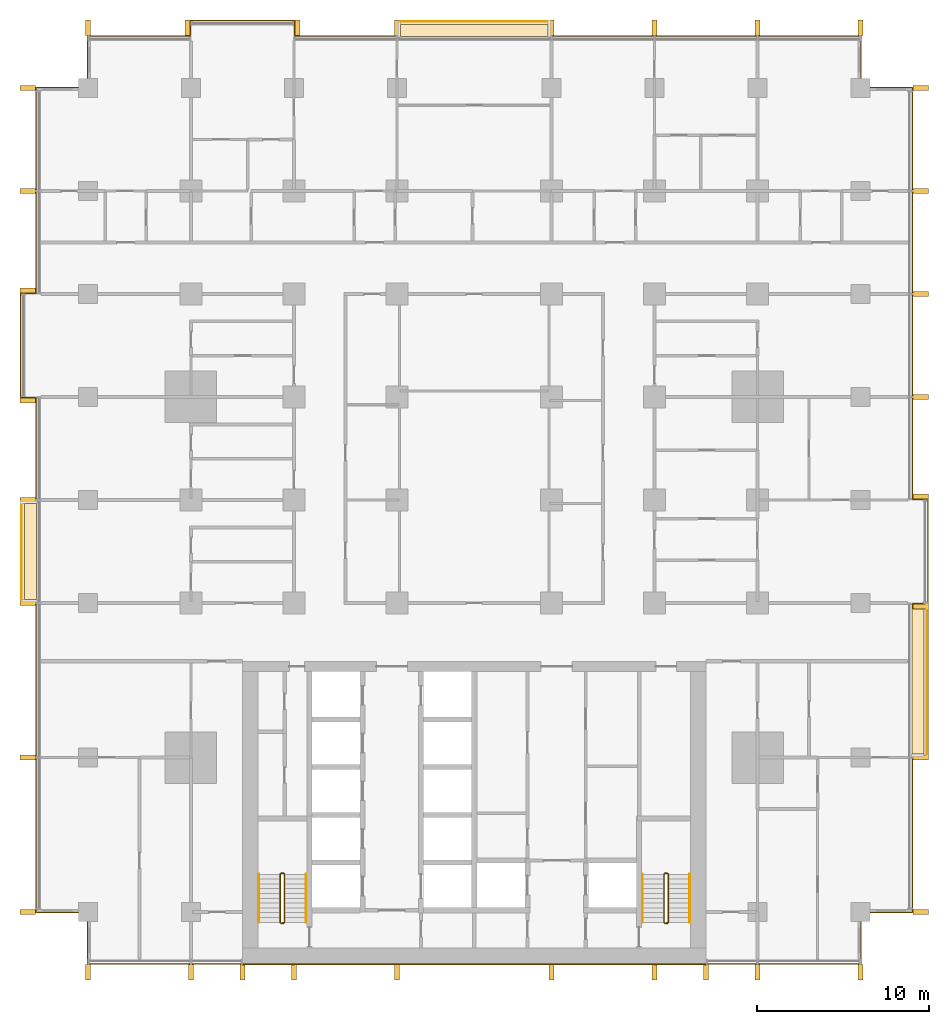
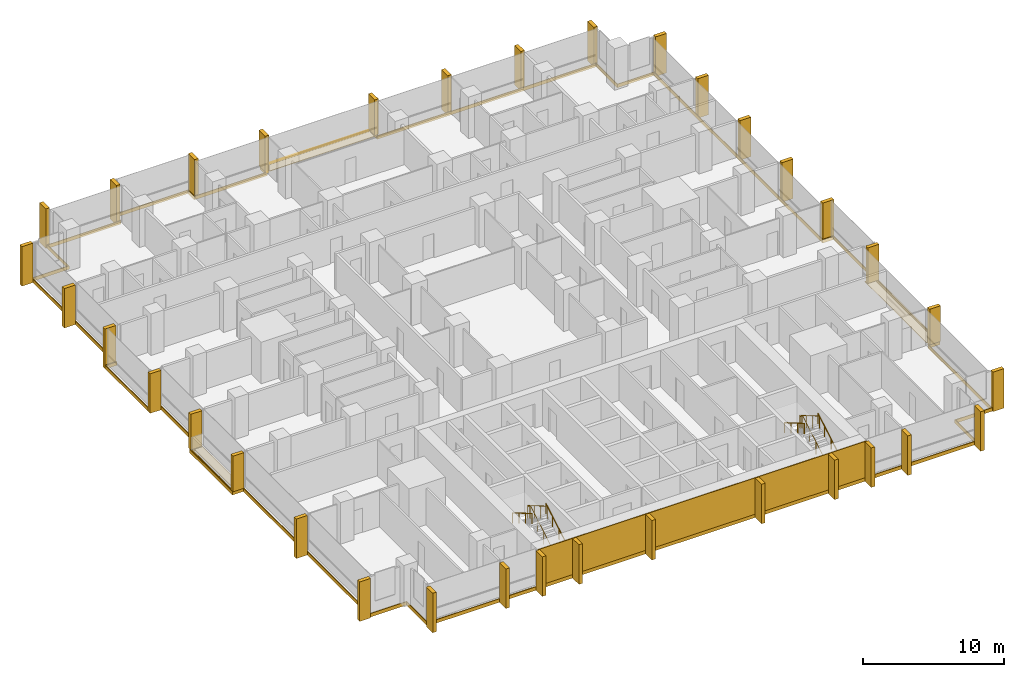
# One storey, part 18 of 18: 34 shading devices, 12 coverings, 6 railings.
"""IFC4 building model written with IfcOpenShell, lengths in metres."""

from ifc_helpers import new_model, si_unit, direction, frame, origin, origin_2d, place, context, subcontext, project, spatial, polyline, rectangle, circle, outline, extrude, material, layer, layer_set, type_object, element, save


model = new_model("IFC4")

# Units and contexts
model_context = context("Model", 3, precision=1e-05, world=origin(), true_north=direction((0.0, 1.0)))
body_context = subcontext(model_context, "Body", "Model", "MODEL_VIEW")
ifc_project = project(units=[si_unit("LENGTHUNIT", "METRE"), si_unit("AREAUNIT", "SQUARE_METRE"), si_unit("VOLUMEUNIT", "CUBIC_METRE"), si_unit("PLANEANGLEUNIT", "RADIAN"), si_unit("MASSUNIT", "GRAM", prefix="KILO")], contexts=[model_context])

# Site, building, storey
site_placement = place(None, origin())
site = spatial("IfcSite", under=ifc_project, at=site_placement, CompositionType="ELEMENT")
building_placement = place(site_placement, origin())
building = spatial("IfcBuilding", under=site, at=building_placement, Name="Finial Court Residences", CompositionType="ELEMENT")
storey_placement = place(building_placement, frame((0.0, 0.0, 72.10009765625)))
storey = spatial("IfcBuildingStorey", under=building, at=storey_placement, Name="L17", CompositionType="ELEMENT", Elevation=72.10009765625)

# Coverings
ifc_material_1 = material(Name="Natural limestone", Category="masonry")
ifc_layer_1 = layer(ifc_material_1, 0.06005859375)
ifc_layer_set_1 = layer_set([ifc_layer_1], Name="Limestone cladding to the blind core face 60")
covering_type_1 = type_object("IfcCoveringType", Name="Limestone cladding to the blind core face 60", PredefinedType="CLADDING", material=ifc_layer_set_1)
covering_1_placement = place(storey_placement, origin())
element("IfcCovering", 1, at=covering_1_placement, inside=storey, type_object=covering_type_1, Name="E-L17-CLAD1", PredefinedType="CLADDING", context=body_context, shape_type="SweptSolid", body=[
    extrude(outline(polyline([(-10.5, -25.56005859375), (-10.5, -25.5), (-13.5, -25.5), (-13.5, -25.56005859375), (-10.5, -25.56005859375)])), origin(), (0.0, 0.0, 1.0), 3.14990234375),
])
covering_2_placement = place(storey_placement, origin())
element("IfcCovering", 2, at=covering_2_placement, inside=storey, type_object=covering_type_1, Name="E-L17-CLAD2", PredefinedType="CLADDING", context=body_context, shape_type="SweptSolid", body=[
    extrude(outline(polyline([(-4.5, -25.56005859375), (-4.5, -25.5), (-10.5, -25.5), (-10.5, -25.56005859375), (-4.5, -25.56005859375)])), origin(), (0.0, 0.0, 1.0), 3.14990234375),
])
covering_3_placement = place(storey_placement, origin())
element("IfcCovering", 3, at=covering_3_placement, inside=storey, type_object=covering_type_1, Name="E-L17-CLAD3", PredefinedType="CLADDING", context=body_context, shape_type="SweptSolid", body=[
    extrude(outline(polyline([(4.5, -25.56005859375), (4.5, -25.5), (-4.5, -25.5), (-4.5, -25.56005859375), (4.5, -25.56005859375)])), origin(), (0.0, 0.0, 1.0), 3.14990234375),
])
covering_4_placement = place(storey_placement, origin())
element("IfcCovering", 4, at=covering_4_placement, inside=storey, type_object=covering_type_1, Name="E-L17-CLAD4", PredefinedType="CLADDING", context=body_context, shape_type="SweptSolid", body=[
    extrude(outline(polyline([(10.5, -25.56005859375), (10.5, -25.5), (4.5, -25.5), (4.5, -25.56005859375), (10.5, -25.56005859375)])), origin(), (0.0, 0.0, 1.0), 3.14990234375),
])
covering_5_placement = place(storey_placement, origin())
element("IfcCovering", 5, at=covering_5_placement, inside=storey, type_object=covering_type_1, Name="E-L17-CLAD5", PredefinedType="CLADDING", context=body_context, shape_type="SweptSolid", body=[
    extrude(outline(polyline([(13.5, -25.56005859375), (13.5, -25.5), (10.5, -25.5), (10.5, -25.56005859375), (13.5, -25.56005859375)])), origin(), (0.0, 0.0, 1.0), 3.14990234375),
])

# Shading devices
shading_device_type = type_object("IfcShadingDeviceType", Name="Limestone fin 300 x 900", PredefinedType="USERDEFINED", material=ifc_material_1)
for number, where, z_axis, x_axis, name in (
    (6, (-22.5, 29.010009765625, -0.30029296875), (0.0, 0.0, 1.0), (1.0, 0.0, 0.0), "E-L17-FIN-N1"),
    (7, (-16.7099609375, 29.010009765625, -0.30029296875), (0.0, 0.0, 1.0), (1.0, 0.0, 0.0), "E-L17-FIN-N2"),
    (8, (-10.2900390625, 29.010009765625, -0.30029296875), (0.0, 0.0, 1.0), (1.0, 0.0, 0.0), "E-L17-FIN-N3"),
):
    element("IfcShadingDevice", number, at=place(storey_placement, frame(where, z_axis=z_axis, x_axis=x_axis)), inside=storey, type_object=shading_device_type, Name=name, ObjectType="FIN", PredefinedType="USERDEFINED", context=body_context, shape_type="SweptSolid", body=[
        extrude(rectangle(XDim=0.300048828125, YDim=0.89990234375, at=origin_2d()), origin(), (0.0, 0.0, 1.0), 3.429931640625),
    ])
for number, where, z_axis, x_axis, name in (
    (9, (-4.5, 29.010009765625, 0.0400390625), (0.0, 0.0, 1.0), (1.0, 0.0, 0.0), "E-L17-FIN-N4"),
    (10, (4.5, 29.010009765625, 0.0400390625), (0.0, 0.0, 1.0), (1.0, 0.0, 0.0), "E-L17-FIN-N5"),
):
    element("IfcShadingDevice", number, at=place(storey_placement, frame(where, z_axis=z_axis, x_axis=x_axis)), inside=storey, type_object=shading_device_type, Name=name, ObjectType="FIN", PredefinedType="USERDEFINED", context=body_context, shape_type="SweptSolid", body=[
        extrude(rectangle(XDim=0.300048828125, YDim=0.89990234375, at=origin_2d()), origin(), (0.0, 0.0, 1.0), 3.090087890625),
    ])
for number, where, z_axis, x_axis, name in (
    (11, (10.5, 29.010009765625, -0.30029296875), (0.0, 0.0, 1.0), (1.0, 0.0, 0.0), "E-L17-FIN-N6"),
    (12, (16.5, 29.010009765625, -0.30029296875), (0.0, 0.0, 1.0), (1.0, 0.0, 0.0), "E-L17-FIN-N7"),
    (13, (22.5, 29.010009765625, -0.30029296875), (0.0, 0.0, 1.0), (1.0, 0.0, 0.0), "E-L17-FIN-N8"),
):
    element("IfcShadingDevice", number, at=place(storey_placement, frame(where, z_axis=z_axis, x_axis=x_axis)), inside=storey, type_object=shading_device_type, Name=name, ObjectType="FIN", PredefinedType="USERDEFINED", context=body_context, shape_type="SweptSolid", body=[
        extrude(rectangle(XDim=0.300048828125, YDim=0.89990234375, at=origin_2d()), origin(), (0.0, 0.0, 1.0), 3.429931640625),
    ])
shading_device_placement = place(storey_placement, frame((26.010009765625, -22.5, -0.30029296875), z_axis=(0.0, 0.0, 1.0), x_axis=(1.0, 0.0, 0.0)))
element("IfcShadingDevice", 14, at=shading_device_placement, inside=storey, type_object=shading_device_type, Name="E-L17-FIN-E9", ObjectType="FIN", PredefinedType="USERDEFINED", context=body_context, shape_type="SweptSolid", body=[
    extrude(rectangle(XDim=0.89990234375, YDim=0.300048828125, at=origin_2d()), origin(), (0.0, 0.0, 1.0), 3.429931640625),
])
for number, where, z_axis, x_axis, name in (
    (15, (26.010009765625, -13.5, 0.0400390625), (0.0, 0.0, 1.0), (1.0, 0.0, 0.0), "E-L17-FIN-E10"),
    (16, (26.010009765625, -4.7099609375, 0.0400390625), (0.0, 0.0, 1.0), (1.0, 0.0, 0.0), "E-L17-FIN-E11"),
):
    element("IfcShadingDevice", number, at=place(storey_placement, frame(where, z_axis=z_axis, x_axis=x_axis)), inside=storey, type_object=shading_device_type, Name=name, ObjectType="FIN", PredefinedType="USERDEFINED", context=body_context, shape_type="SweptSolid", body=[
        extrude(rectangle(XDim=0.89990234375, YDim=0.300048828125, at=origin_2d()), origin(), (0.0, 0.0, 1.0), 3.090087890625),
    ])
for number, where, z_axis, x_axis, name in (
    (17, (26.010009765625, 1.7099609375, -0.30029296875), (0.0, 0.0, 1.0), (1.0, 0.0, 0.0), "E-L17-FIN-E12"),
    (18, (26.010009765625, 7.5, -0.30029296875), (0.0, 0.0, 1.0), (1.0, 0.0, 0.0), "E-L17-FIN-E13"),
    (19, (26.010009765625, 13.5, -0.30029296875), (0.0, 0.0, 1.0), (1.0, 0.0, 0.0), "E-L17-FIN-E14"),
    (20, (26.010009765625, 19.5, -0.30029296875), (0.0, 0.0, 1.0), (1.0, 0.0, 0.0), "E-L17-FIN-E15"),
    (21, (26.010009765625, 25.5, -0.30029296875), (0.0, 0.0, 1.0), (1.0, 0.0, 0.0), "E-L17-FIN-E16"),
):
    element("IfcShadingDevice", number, at=place(storey_placement, frame(where, z_axis=z_axis, x_axis=x_axis)), inside=storey, type_object=shading_device_type, Name=name, ObjectType="FIN", PredefinedType="USERDEFINED", context=body_context, shape_type="SweptSolid", body=[
        extrude(rectangle(XDim=0.89990234375, YDim=0.300048828125, at=origin_2d()), origin(), (0.0, 0.0, 1.0), 3.429931640625),
    ])
for number, where, z_axis, x_axis, name in (
    (22, (-22.5, -26.010009765625, -0.30029296875), (0.0, 0.0, 1.0), (1.0, 0.0, 0.0), "E-L17-FIN-S17"),
    (23, (-16.5, -26.010009765625, -0.30029296875), (0.0, 0.0, 1.0), (1.0, 0.0, 0.0), "E-L17-FIN-S18"),
    (24, (-13.5, -26.010009765625, -0.30029296875), (0.0, 0.0, 1.0), (1.0, 0.0, 0.0), "E-L17-FIN-S19"),
    (25, (-10.5, -26.010009765625, -0.30029296875), (0.0, 0.0, 1.0), (1.0, 0.0, 0.0), "E-L17-FIN-S20"),
    (26, (-4.5, -26.010009765625, -0.30029296875), (0.0, 0.0, 1.0), (1.0, 0.0, 0.0), "E-L17-FIN-S21"),
    (27, (4.5, -26.010009765625, -0.30029296875), (0.0, 0.0, 1.0), (1.0, 0.0, 0.0), "E-L17-FIN-S22"),
    (28, (10.5, -26.010009765625, -0.30029296875), (0.0, 0.0, 1.0), (1.0, 0.0, 0.0), "E-L17-FIN-S23"),
    (29, (13.5, -26.010009765625, -0.30029296875), (0.0, 0.0, 1.0), (1.0, 0.0, 0.0), "E-L17-FIN-S24"),
    (30, (16.5, -26.010009765625, -0.30029296875), (0.0, 0.0, 1.0), (1.0, 0.0, 0.0), "E-L17-FIN-S25"),
    (31, (22.5, -26.010009765625, -0.30029296875), (0.0, 0.0, 1.0), (1.0, 0.0, 0.0), "E-L17-FIN-S26"),
):
    element("IfcShadingDevice", number, at=place(storey_placement, frame(where, z_axis=z_axis, x_axis=x_axis)), inside=storey, type_object=shading_device_type, Name=name, ObjectType="FIN", PredefinedType="USERDEFINED", context=body_context, shape_type="SweptSolid", body=[
        extrude(rectangle(XDim=0.300048828125, YDim=0.89990234375, at=origin_2d()), origin(), (0.0, 0.0, 1.0), 3.429931640625),
    ])
for number, where, z_axis, x_axis, name in (
    (32, (-26.010009765625, -22.5, -0.30029296875), (0.0, 0.0, 1.0), (1.0, 0.0, 0.0), "E-L17-FIN-W27"),
    (33, (-26.010009765625, -13.5, -0.30029296875), (0.0, 0.0, 1.0), (1.0, 0.0, 0.0), "E-L17-FIN-W28"),
):
    element("IfcShadingDevice", number, at=place(storey_placement, frame(where, z_axis=z_axis, x_axis=x_axis)), inside=storey, type_object=shading_device_type, Name=name, ObjectType="FIN", PredefinedType="USERDEFINED", context=body_context, shape_type="SweptSolid", body=[
        extrude(rectangle(XDim=0.89990234375, YDim=0.300048828125, at=origin_2d()), origin(), (0.0, 0.0, 1.0), 3.429931640625),
    ])
for number, where, z_axis, x_axis, name in (
    (34, (-26.010009765625, -4.5, 0.0400390625), (0.0, 0.0, 1.0), (1.0, 0.0, 0.0), "E-L17-FIN-W29"),
    (35, (-26.010009765625, 1.5, 0.0400390625), (0.0, 0.0, 1.0), (1.0, 0.0, 0.0), "E-L17-FIN-W30"),
):
    element("IfcShadingDevice", number, at=place(storey_placement, frame(where, z_axis=z_axis, x_axis=x_axis)), inside=storey, type_object=shading_device_type, Name=name, ObjectType="FIN", PredefinedType="USERDEFINED", context=body_context, shape_type="SweptSolid", body=[
        extrude(rectangle(XDim=0.89990234375, YDim=0.300048828125, at=origin_2d()), origin(), (0.0, 0.0, 1.0), 3.090087890625),
    ])
for number, where, z_axis, x_axis, name in (
    (36, (-26.010009765625, 7.2900390625, -0.30029296875), (0.0, 0.0, 1.0), (1.0, 0.0, 0.0), "E-L17-FIN-W31"),
    (37, (-26.010009765625, 13.7099609375, -0.30029296875), (0.0, 0.0, 1.0), (1.0, 0.0, 0.0), "E-L17-FIN-W32"),
    (38, (-26.010009765625, 19.5, -0.30029296875), (0.0, 0.0, 1.0), (1.0, 0.0, 0.0), "E-L17-FIN-W33"),
    (39, (-26.010009765625, 25.5, -0.30029296875), (0.0, 0.0, 1.0), (1.0, 0.0, 0.0), "E-L17-FIN-W34"),
):
    element("IfcShadingDevice", number, at=place(storey_placement, frame(where, z_axis=z_axis, x_axis=x_axis)), inside=storey, type_object=shading_device_type, Name=name, ObjectType="FIN", PredefinedType="USERDEFINED", context=body_context, shape_type="SweptSolid", body=[
        extrude(rectangle(XDim=0.89990234375, YDim=0.300048828125, at=origin_2d()), origin(), (0.0, 0.0, 1.0), 3.429931640625),
    ])

# Coverings
ifc_material_2 = material(Name="Pale limestone", Category="masonry")
ifc_layer_2 = layer(ifc_material_2, 0.06005859375)
ifc_layer_set_2 = layer_set([ifc_layer_2], Name="Pale limestone slab-edge band 60")
covering_type_2 = type_object("IfcCoveringType", Name="Pale limestone slab-edge band 60", PredefinedType="CLADDING", material=ifc_layer_set_2)
covering_6_placement = place(storey_placement, frame((0.0, 0.0, -0.300048828125)))
element("IfcCovering", 40, at=covering_6_placement, inside=storey, type_object=covering_type_2, Name="E-L17-BAND1", PredefinedType="CLADDING", context=body_context, shape_type="SweptSolid", body=[
    extrude(outline(polyline([(25.56005859375, -13.56005859375), (25.56005859375, -22.56005859375), (22.56005859375, -22.56005859375), (22.56005859375, -25.56005859375), (-22.56005859375, -25.56005859375), (-22.56005859375, -22.56005859375), (-25.56005859375, -22.56005859375), (-25.56005859375, -4.56005859375), (-26.4599609375, -4.56005859375), (-26.4599609375, 1.56005859375), (-25.56005859375, 1.56005859375), (-25.56005859375, 7.43994140625), (-26.4599609375, 7.43994140625), (-26.4599609375, 13.56005859375), (-25.56005859375, 13.56005859375), (-25.56005859375, 25.56005859375), (-22.56005859375, 25.56005859375), (-22.56005859375, 28.56005859375), (-16.56005859375, 28.56005859375), (-16.56005859375, 29.4599609375), (-10.43994140625, 29.4599609375), (-10.43994140625, 28.56005859375), (-4.56005859375, 28.56005859375), (-4.56005859375, 29.4599609375), (4.56005859375, 29.4599609375), (4.56005859375, 28.56005859375), (22.56005859375, 28.56005859375), (22.56005859375, 25.56005859375), (25.56005859375, 25.56005859375), (25.56005859375, 1.56005859375), (26.4599609375, 1.56005859375), (26.4599609375, -13.56005859375), (25.56005859375, -13.56005859375)]), holes=[polyline([(26.39990234375, -4.5), (26.39990234375, 1.5), (25.5, 1.5), (25.5, 25.5), (22.5, 25.5), (22.5, 28.5), (4.5, 28.5), (4.5, 29.39990234375), (-4.5, 29.39990234375), (-4.5, 28.5), (-10.5, 28.5), (-10.5, 29.39990234375), (-16.5, 29.39990234375), (-16.5, 28.5), (-22.5, 28.5), (-22.5, 25.5), (-25.5, 25.5), (-25.5, 13.5), (-26.39990234375, 13.5), (-26.39990234375, 7.5), (-25.5, 7.5), (-25.5, 1.5), (-26.39990234375, 1.5), (-26.39990234375, -4.5), (-25.5, -4.5), (-25.5, -22.5), (-22.5, -22.5), (-22.5, -25.5), (22.5, -25.5), (22.5, -22.5), (25.5, -22.5), (25.5, -13.5), (26.39990234375, -13.5), (26.39990234375, -4.5)])]), origin(), (0.0, 0.0, 1.0), 0.300048828125),
])
ifc_material_3 = material(Name="Bitumen membrane")
ifc_layer_3 = layer(ifc_material_3, 0.0400390625)
ifc_layer_set_3 = layer_set([ifc_layer_3], Name="Push box roofing, bitumen membrane 40")
covering_type_3 = type_object("IfcCoveringType", Name="Push box roofing, bitumen membrane 40", PredefinedType="ROOFING", material=ifc_layer_set_3)
covering_7_placement = place(storey_placement, origin())
element("IfcCovering", 41, at=covering_7_placement, inside=storey, type_object=covering_type_3, Name="E-L17-LED1", PredefinedType="ROOFING", context=body_context, shape_type="SweptSolid", body=[
    extrude(outline(polyline([(26.199951171875, -4.5), (26.199951171875, -13.300048828125), (25.5, -13.300048828125), (25.5, -4.5), (26.199951171875, -4.5)])), origin(), (0.0, 0.0, 1.0), 0.039794921875),
])
covering_8_placement = place(storey_placement, origin())
element("IfcCovering", 42, at=covering_8_placement, inside=storey, type_object=covering_type_3, Name="E-L17-LED1b", PredefinedType="ROOFING", context=body_context, shape_type="SweptSolid", body=[
    extrude(outline(polyline([(26.39990234375, -4.5), (26.39990234375, -13.5), (25.5, -13.5), (25.5, -13.449951171875), (26.199951171875, -13.449951171875), (26.35009765625, -13.449951171875), (26.35009765625, -4.5), (26.39990234375, -4.5)])), origin(), (0.0, 0.0, 1.0), 0.039794921875),
])
covering_9_placement = place(storey_placement, origin())
element("IfcCovering", 43, at=covering_9_placement, inside=storey, type_object=covering_type_3, Name="E-L17-LED2c", PredefinedType="ROOFING", context=body_context, shape_type="SweptSolid", body=[
    extrude(outline(polyline([(-25.5, -4.300048828125), (-26.199951171875, -4.300048828125), (-26.199951171875, 1.300048828125), (-25.5, 1.300048828125), (-25.5, -4.300048828125)])), origin(), (0.0, 0.0, 1.0), 0.039794921875),
])
covering_10_placement = place(storey_placement, origin())
element("IfcCovering", 44, at=covering_10_placement, inside=storey, type_object=covering_type_3, Name="E-L17-LED2d", PredefinedType="ROOFING", context=body_context, shape_type="SweptSolid", body=[
    extrude(outline(polyline([(-25.5, -4.5), (-26.39990234375, -4.5), (-26.39990234375, 1.300048828125), (-26.35009765625, 1.300048828125), (-26.35009765625, -4.300048828125), (-26.35009765625, -4.300048828125), (-26.35009765625, -4.449951171875), (-25.5, -4.449951171875), (-25.5, -4.5)])), origin(), (0.0, 0.0, 1.0), 0.039794921875),
])
covering_11_placement = place(storey_placement, origin())
element("IfcCovering", 45, at=covering_11_placement, inside=storey, type_object=covering_type_3, Name="E-L17-LED3c", PredefinedType="ROOFING", context=body_context, shape_type="SweptSolid", body=[
    extrude(outline(polyline([(-4.300048828125, 28.5), (-4.300048828125, 29.199951171875), (4.300048828125, 29.199951171875), (4.300048828125, 28.5), (-4.300048828125, 28.5)])), origin(), (0.0, 0.0, 1.0), 0.039794921875),
])
covering_12_placement = place(storey_placement, origin())
element("IfcCovering", 46, at=covering_12_placement, inside=storey, type_object=covering_type_3, Name="E-L17-LED3d", PredefinedType="ROOFING", context=body_context, shape_type="SweptSolid", body=[
    extrude(outline(polyline([(-4.5, 28.5), (-4.5, 29.39990234375), (4.300048828125, 29.39990234375), (4.300048828125, 29.35009765625), (-4.300048828125, 29.35009765625), (-4.300048828125, 29.35009765625), (-4.449951171875, 29.35009765625), (-4.449951171875, 28.5), (-4.5, 28.5)])), origin(), (0.0, 0.0, 1.0), 0.039794921875),
])

# Railings
ifc_material_4 = material(Name="Stainless steel railing", Category="steel")
railing_type_1 = type_object("IfcRailingType", Name="Stair guard 1100", PredefinedType="GUARDRAIL", material=ifc_material_4)
railing_1_placement = place(storey_placement, frame((-11.10009765625, -23.14990234375, 0.0)))
element("IfcRailing", 47, at=railing_1_placement, inside=storey, type_object=railing_type_1, Name="L17 ST-1 stair guard 1", PredefinedType="GUARDRAIL", context=body_context, shape_type="SweptSolid", body=[
    extrude(circle(Radius=0.02392578125, at=origin_2d()), frame((0.0, 0.0, 1.076171875), z_axis=(-1.0, 0.0, 0.0), x_axis=(0.0, -1.0, 0.0)), (0.0, 0.0, 1.0), 0.14990234375),
    extrude(circle(Radius=0.02392578125, at=origin_2d()), frame((-0.14990234375, 0.0, 1.076171875), z_axis=(0.760004195007, 0.189305074214, 0.621737253547), x_axis=(-0.241699205484, 0.970351222016, 0.0)), (0.0, 0.0, 1.0), 0.26318359375),
    extrude(circle(Radius=0.02392578125, at=origin_2d()), frame((0.050048828125, 0.0498046875, 1.23974609375), z_axis=(0.0, 0.863393664356, 0.504530851732), x_axis=(-1.0, 0.0, 0.0)), (0.0, 0.0, 1.0), 3.2431640625),
    extrude(circle(Radius=0.02392578125, at=origin_2d()), frame((0.050048828125, 2.849853515625, 2.8759765625), z_axis=(-0.707106781187, 0.707106781187, 0.0), x_axis=(-0.707106781187, -0.707106781187, 0.0)), (0.0, 0.0, 1.0), 0.07080078125),
    extrude(circle(Radius=0.02392578125, at=origin_2d()), frame((0.0, 2.89990234375, 2.8759765625), z_axis=(-1.0, 0.0, 0.0), x_axis=(0.0, -1.0, 0.0)), (0.0, 0.0, 1.0), 0.14990234375),
    extrude(circle(Radius=0.02392578125, at=origin_2d()), frame((-0.14990234375, 2.89990234375, 2.8759765625), z_axis=(-0.280456126637, -0.280456126637, 0.917980785237), x_axis=(0.707106781187, -0.707106781187, 0.0)), (0.0, 0.0, 1.0), 0.178466796875),
    extrude(circle(Radius=0.02392578125, at=origin_2d()), frame((-0.199951171875, 2.849853515625, 3.03955078125), z_axis=(0.0, -0.863393664356, 0.504530851732), x_axis=(1.0, 0.0, 0.0)), (0.0, 0.0, 1.0), 3.2431640625),
    extrude(circle(Radius=0.02099609375, at=origin_2d()), origin(), (0.0, 0.0, 1.0), 1.052001953125),
    extrude(circle(Radius=0.02099609375, at=origin_2d()), frame((-0.14990234375, 0.0, 0.0)), (0.0, 0.0, 1.0), 1.052001953125),
    extrude(circle(Radius=0.02099609375, at=origin_2d()), frame((0.050048828125, 0.0498046875, 0.16357421875)), (0.0, 0.0, 1.0), 1.052001953125),
    extrude(circle(Radius=0.02099609375, at=origin_2d()), frame((0.050048828125, 0.983154296875, 0.708984375)), (0.0, 0.0, 1.0), 1.052001953125),
    extrude(circle(Radius=0.02099609375, at=origin_2d()), frame((0.050048828125, 1.91650390625, 1.25439453125)), (0.0, 0.0, 1.0), 1.052001953125),
    extrude(circle(Radius=0.02099609375, at=origin_2d()), frame((0.050048828125, 2.849853515625, 1.7998046875)), (0.0, 0.0, 1.0), 1.052001953125),
    extrude(circle(Radius=0.02099609375, at=origin_2d()), frame((0.0, 2.89990234375, 1.7998046875)), (0.0, 0.0, 1.0), 1.052001953125),
    extrude(circle(Radius=0.02099609375, at=origin_2d()), frame((-0.14990234375, 2.89990234375, 1.7998046875)), (0.0, 0.0, 1.0), 1.052001953125),
    extrude(circle(Radius=0.02099609375, at=origin_2d()), frame((-0.199951171875, 2.849853515625, 1.963623046875)), (0.0, 0.0, 1.0), 1.052001953125),
    extrude(circle(Radius=0.02099609375, at=origin_2d()), frame((-0.199951171875, 1.91650390625, 2.509033203125)), (0.0, 0.0, 1.0), 1.052001953125),
    extrude(circle(Radius=0.02099609375, at=origin_2d()), frame((-0.199951171875, 0.983154296875, 3.054443359375)), (0.0, 0.0, 1.0), 1.052001953125),
    extrude(circle(Radius=0.02099609375, at=origin_2d()), frame((-0.199951171875, 0.0498046875, 3.599853515625)), (0.0, 0.0, 1.0), 1.052001953125),
])
railing_2_placement = place(storey_placement, frame((11.25, -23.14990234375, 0.0)))
element("IfcRailing", 48, at=railing_2_placement, inside=storey, type_object=railing_type_1, Name="L17 ST-2 stair guard 1", PredefinedType="GUARDRAIL", context=body_context, shape_type="SweptSolid", body=[
    extrude(circle(Radius=0.02392578125, at=origin_2d()), frame((0.0, 0.0, 1.076171875), z_axis=(-1.0, 0.0, 0.0), x_axis=(0.0, -1.0, 0.0)), (0.0, 0.0, 1.0), 0.14990234375),
    extrude(circle(Radius=0.02392578125, at=origin_2d()), frame((-0.14990234375, 0.0, 1.076171875), z_axis=(0.760004195007, 0.189305074214, 0.621737253547), x_axis=(-0.241699205484, 0.970351222016, 0.0)), (0.0, 0.0, 1.0), 0.26318359375),
    extrude(circle(Radius=0.02392578125, at=origin_2d()), frame((0.050048828125, 0.0498046875, 1.23974609375), z_axis=(0.0, 0.863393664356, 0.504530851732), x_axis=(-1.0, 0.0, 0.0)), (0.0, 0.0, 1.0), 3.2431640625),
    extrude(circle(Radius=0.02392578125, at=origin_2d()), frame((0.050048828125, 2.849853515625, 2.8759765625), z_axis=(-0.707106781187, 0.707106781187, 0.0), x_axis=(-0.707106781187, -0.707106781187, 0.0)), (0.0, 0.0, 1.0), 0.07080078125),
    extrude(circle(Radius=0.02392578125, at=origin_2d()), frame((0.0, 2.89990234375, 2.8759765625), z_axis=(-1.0, 0.0, 0.0), x_axis=(0.0, -1.0, 0.0)), (0.0, 0.0, 1.0), 0.14990234375),
    extrude(circle(Radius=0.02392578125, at=origin_2d()), frame((-0.14990234375, 2.89990234375, 2.8759765625), z_axis=(-0.280456126637, -0.280456126637, 0.917980785237), x_axis=(0.707106781187, -0.707106781187, 0.0)), (0.0, 0.0, 1.0), 0.178466796875),
    extrude(circle(Radius=0.02392578125, at=origin_2d()), frame((-0.199951171875, 2.849853515625, 3.03955078125), z_axis=(0.0, -0.863393664356, 0.504530851732), x_axis=(1.0, 0.0, 0.0)), (0.0, 0.0, 1.0), 3.2431640625),
    extrude(circle(Radius=0.02099609375, at=origin_2d()), origin(), (0.0, 0.0, 1.0), 1.052001953125),
    extrude(circle(Radius=0.02099609375, at=origin_2d()), frame((-0.14990234375, 0.0, 0.0)), (0.0, 0.0, 1.0), 1.052001953125),
    extrude(circle(Radius=0.02099609375, at=origin_2d()), frame((0.050048828125, 0.0498046875, 0.16357421875)), (0.0, 0.0, 1.0), 1.052001953125),
    extrude(circle(Radius=0.02099609375, at=origin_2d()), frame((0.050048828125, 0.983154296875, 0.708984375)), (0.0, 0.0, 1.0), 1.052001953125),
    extrude(circle(Radius=0.02099609375, at=origin_2d()), frame((0.050048828125, 1.91650390625, 1.25439453125)), (0.0, 0.0, 1.0), 1.052001953125),
    extrude(circle(Radius=0.02099609375, at=origin_2d()), frame((0.050048828125, 2.849853515625, 1.7998046875)), (0.0, 0.0, 1.0), 1.052001953125),
    extrude(circle(Radius=0.02099609375, at=origin_2d()), frame((0.0, 2.89990234375, 1.7998046875)), (0.0, 0.0, 1.0), 1.052001953125),
    extrude(circle(Radius=0.02099609375, at=origin_2d()), frame((-0.14990234375, 2.89990234375, 1.7998046875)), (0.0, 0.0, 1.0), 1.052001953125),
    extrude(circle(Radius=0.02099609375, at=origin_2d()), frame((-0.199951171875, 2.849853515625, 1.963623046875)), (0.0, 0.0, 1.0), 1.052001953125),
    extrude(circle(Radius=0.02099609375, at=origin_2d()), frame((-0.199951171875, 1.91650390625, 2.509033203125)), (0.0, 0.0, 1.0), 1.052001953125),
    extrude(circle(Radius=0.02099609375, at=origin_2d()), frame((-0.199951171875, 0.983154296875, 3.054443359375)), (0.0, 0.0, 1.0), 1.052001953125),
    extrude(circle(Radius=0.02099609375, at=origin_2d()), frame((-0.199951171875, 0.0498046875, 3.599853515625)), (0.0, 0.0, 1.0), 1.052001953125),
])
railing_type_2 = type_object("IfcRailingType", Name="Stair handrail 900", PredefinedType="HANDRAIL", material=ifc_material_4)
railing_3_placement = place(storey_placement, frame((-9.800048828125, -23.10009765625, 0.16357421875)))
element("IfcRailing", 49, at=railing_3_placement, inside=storey, type_object=railing_type_2, Name="L17 ST-1 stair handrail 1", PredefinedType="HANDRAIL", context=body_context, shape_type="SweptSolid", body=[
    extrude(circle(Radius=0.02392578125, at=origin_2d()), frame((0.0, 0.0, 0.8759765625), z_axis=(0.0, 0.863393664356, 0.504530851732), x_axis=(-1.0, 0.0, 0.0)), (0.0, 0.0, 1.0), 3.2431640625),
    extrude(circle(Radius=0.02099609375, at=origin_2d()), origin(), (0.0, 0.0, 1.0), 0.851806640625),
    extrude(circle(Radius=0.02099609375, at=origin_2d()), frame((0.0, 0.933349609375, 0.54541015625)), (0.0, 0.0, 1.0), 0.851806640625),
    extrude(circle(Radius=0.02099609375, at=origin_2d()), frame((0.0, 1.86669921875, 1.0908203125)), (0.0, 0.0, 1.0), 0.851806640625),
    extrude(circle(Radius=0.02099609375, at=origin_2d()), frame((0.0, 2.800048828125, 1.63623046875)), (0.0, 0.0, 1.0), 0.851806640625),
])
railing_4_placement = place(storey_placement, frame((-12.550048828125, -20.300048828125, 1.963623046875)))
element("IfcRailing", 50, at=railing_4_placement, inside=storey, type_object=railing_type_2, Name="L17 ST-1 stair handrail 2", PredefinedType="HANDRAIL", context=body_context, shape_type="SweptSolid", body=[
    extrude(circle(Radius=0.02392578125, at=origin_2d()), frame((0.0, 0.0, 0.8759765625), z_axis=(0.0, -0.863393664356, 0.504530851732), x_axis=(1.0, 0.0, 0.0)), (0.0, 0.0, 1.0), 3.2431640625),
    extrude(circle(Radius=0.02099609375, at=origin_2d()), origin(), (0.0, 0.0, 1.0), 0.851806640625),
    extrude(circle(Radius=0.02099609375, at=origin_2d()), frame((0.0, -0.933349609375, 0.54541015625)), (0.0, 0.0, 1.0), 0.851806640625),
    extrude(circle(Radius=0.02099609375, at=origin_2d()), frame((0.0, -1.86669921875, 1.0908203125)), (0.0, 0.0, 1.0), 0.851806640625),
    extrude(circle(Radius=0.02099609375, at=origin_2d()), frame((0.0, -2.800048828125, 1.63623046875)), (0.0, 0.0, 1.0), 0.851806640625),
])
railing_5_placement = place(storey_placement, frame((12.550048828125, -23.10009765625, 0.16357421875)))
element("IfcRailing", 51, at=railing_5_placement, inside=storey, type_object=railing_type_2, Name="L17 ST-2 stair handrail 1", PredefinedType="HANDRAIL", context=body_context, shape_type="SweptSolid", body=[
    extrude(circle(Radius=0.02392578125, at=origin_2d()), frame((0.0, 0.0, 0.8759765625), z_axis=(0.0, 0.863393664356, 0.504530851732), x_axis=(-1.0, 0.0, 0.0)), (0.0, 0.0, 1.0), 3.2431640625),
    extrude(circle(Radius=0.02099609375, at=origin_2d()), origin(), (0.0, 0.0, 1.0), 0.851806640625),
    extrude(circle(Radius=0.02099609375, at=origin_2d()), frame((0.0, 0.933349609375, 0.54541015625)), (0.0, 0.0, 1.0), 0.851806640625),
    extrude(circle(Radius=0.02099609375, at=origin_2d()), frame((0.0, 1.86669921875, 1.0908203125)), (0.0, 0.0, 1.0), 0.851806640625),
    extrude(circle(Radius=0.02099609375, at=origin_2d()), frame((0.0, 2.800048828125, 1.63623046875)), (0.0, 0.0, 1.0), 0.851806640625),
])
railing_6_placement = place(storey_placement, frame((9.800048828125, -20.300048828125, 1.963623046875)))
element("IfcRailing", 52, at=railing_6_placement, inside=storey, type_object=railing_type_2, Name="L17 ST-2 stair handrail 2", PredefinedType="HANDRAIL", context=body_context, shape_type="SweptSolid", body=[
    extrude(circle(Radius=0.02392578125, at=origin_2d()), frame((0.0, 0.0, 0.8759765625), z_axis=(0.0, -0.863393664356, 0.504530851732), x_axis=(1.0, 0.0, 0.0)), (0.0, 0.0, 1.0), 3.2431640625),
    extrude(circle(Radius=0.02099609375, at=origin_2d()), origin(), (0.0, 0.0, 1.0), 0.851806640625),
    extrude(circle(Radius=0.02099609375, at=origin_2d()), frame((0.0, -0.933349609375, 0.54541015625)), (0.0, 0.0, 1.0), 0.851806640625),
    extrude(circle(Radius=0.02099609375, at=origin_2d()), frame((0.0, -1.86669921875, 1.0908203125)), (0.0, 0.0, 1.0), 0.851806640625),
    extrude(circle(Radius=0.02099609375, at=origin_2d()), frame((0.0, -2.800048828125, 1.63623046875)), (0.0, 0.0, 1.0), 0.851806640625),
])

save(model, "model.ifc")
